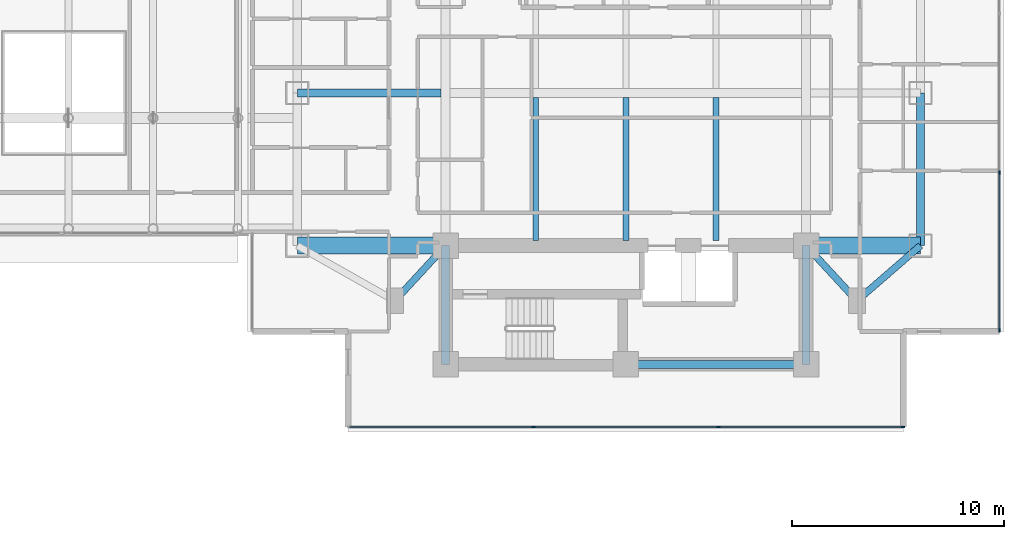
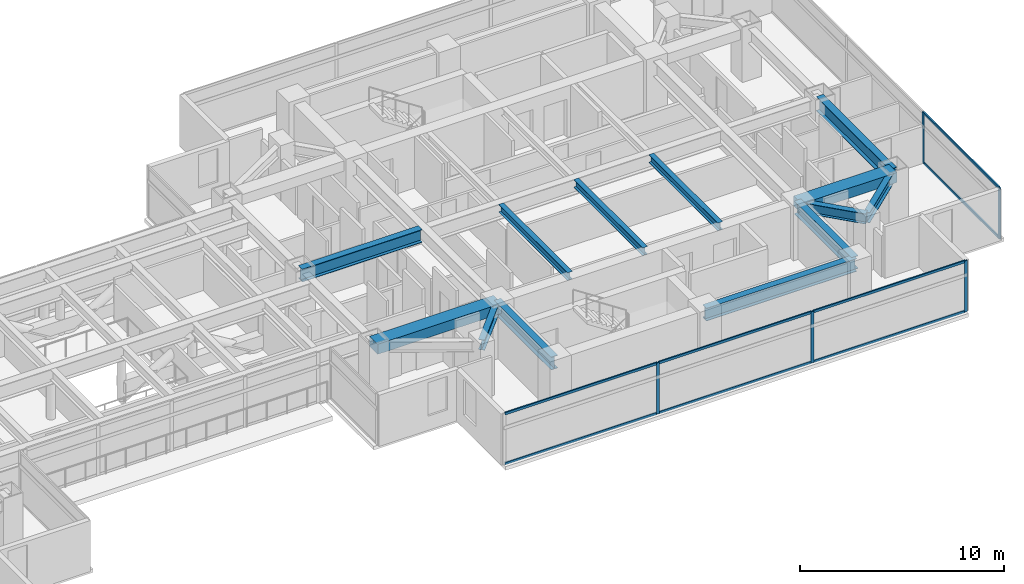
# One storey, part 9 of 27: 13 beams, 13 members, 2 elements without a shape of their own.
"""IFC4 building model written with IfcOpenShell, lengths in metres."""

from ifc_helpers import new_model, si_unit, direction, frame, origin, origin_2d, place, context, subcontext, project, spatial, rectangle, i_section, extrude, material, material_profile, profile_set, type_object, element, aggregate, save


model = new_model("IFC4")

# Units and contexts
model_context = context("Model", 3, precision=1e-05, world=origin(), true_north=direction((0.0, 1.0)))
body_context = subcontext(model_context, "Body", "Model", "MODEL_VIEW")
ifc_project = project(units=[si_unit("LENGTHUNIT", "METRE"), si_unit("AREAUNIT", "SQUARE_METRE"), si_unit("VOLUMEUNIT", "CUBIC_METRE"), si_unit("PLANEANGLEUNIT", "RADIAN"), si_unit("MASSUNIT", "GRAM", prefix="KILO")], contexts=[model_context])

# Site, building, storey
site_placement = place(None, origin())
site = spatial("IfcSite", under=ifc_project, at=site_placement, CompositionType="ELEMENT")
building_placement = place(site_placement, origin())
building = spatial("IfcBuilding", under=site, at=building_placement, Name="Mirazonda Arch Towers", CompositionType="ELEMENT")
storey_placement = place(building_placement, frame((0.0, 0.0, 95.0)))
storey = spatial("IfcBuildingStorey", under=building, at=storey_placement, Name="L26", CompositionType="ELEMENT", Elevation=95.0)

# Beams
ifc_material_1 = material(Name="Steel ASTM A992 Grade 50", Category="steel")
ifc_material_profile_1 = material_profile(ifc_material_1, i_section(OverallWidth=0.39990234375, OverallDepth=0.85595703125, WebThickness=0.018310546875, FlangeThickness=0.029296875, at=origin_2d()), Name="W33X201")
ifc_profile_set_1 = profile_set([ifc_material_profile_1], Name="Steel ASTM A992 Grade 50")
beam_type_1 = type_object("IfcBeamType", Name="BM-EXT-W33X201", PredefinedType="USERDEFINED", material=ifc_profile_set_1)
beam_1_placement = place(storey_placement, frame((90.39990234375, 20.800048828125, 2.652099609375), z_axis=(0.0, 1.0, 0.0), x_axis=(-1.0, 0.0, 0.0)))
element("IfcBeam", 1, at=beam_1_placement, inside=storey, type_object=beam_type_1, Name="L26 Floor Beam BM-T2-L26-NS-E-20", ObjectType="GIRDER", PredefinedType="USERDEFINED", context=body_context, shape_type="SweptSolid", body=[
    extrude(i_section(OverallWidth=0.39990234375, OverallDepth=0.85595703125, WebThickness=0.018310546875, FlangeThickness=0.029296875, at=origin_2d()), origin(), (0.0, 0.0, 1.0), 7.199951171875),
])
ifc_material_profile_2 = material_profile(ifc_material_1, i_section(OverallWidth=0.280029296875, OverallDepth=0.462890625, WebThickness=0.0107421875, FlangeThickness=0.017333984375, at=origin_2d()), Name="W18X76")
ifc_profile_set_2 = profile_set([ifc_material_profile_2], Name="Steel ASTM A992 Grade 50")
beam_type_2 = type_object("IfcBeamType", Name="BM-INT-W18X76", PredefinedType="JOIST", material=ifc_profile_set_2)
for number, where, z_axis, x_axis, name in (
    (2, (72.25, 21.0400390625, 2.848388671875), (0.0, 1.0, 0.0), (-1.0, 0.0, 0.0), "L26 Floor Beam BM-T2-L26-J-722-20"),
    (3, (76.5, 21.0400390625, 2.848388671875), (0.0, 1.0, 0.0), (-1.0, 0.0, 0.0), "L26 Floor Beam BM-T2-L26-J-765-20"),
    (4, (80.75, 21.0400390625, 2.848388671875), (0.0, 1.0, 0.0), (-1.0, 0.0, 0.0), "L26 Floor Beam BM-T2-L26-J-807-20"),
):
    element("IfcBeam", number, at=place(storey_placement, frame(where, z_axis=z_axis, x_axis=x_axis)), inside=storey, type_object=beam_type_2, Name=name, PredefinedType="JOIST", context=body_context, shape_type="SweptSolid", body=[
        extrude(i_section(OverallWidth=0.280029296875, OverallDepth=0.462890625, WebThickness=0.0107421875, FlangeThickness=0.017333984375, at=origin_2d()), origin(), (0.0, 0.0, 1.0), 6.7548828125),
    ])
ifc_material_profile_3 = material_profile(ifc_material_1, i_section(OverallWidth=0.324951171875, OverallDepth=0.615966796875, WebThickness=0.013916015625, FlangeThickness=0.021484375, at=origin_2d()), Name="W24X117")
ifc_profile_set_3 = profile_set([ifc_material_profile_3], Name="Steel ASTM A992 Grade 50")
beam_type_3 = type_object("IfcBeamType", Name="BM-INT-W24X117", PredefinedType="BEAM", material=ifc_profile_set_3)
for number, where, z_axis, x_axis, name in (
    (5, (65.60009765625, 18.199951171875, 2.77197265625), (0.678251444854, 0.734829897019, 0.0), (-0.734829897019, 0.678251444854, 0.0), "L26 Floor Beam BM-T2-L26-PL-SW1"),
    (6, (87.39990234375, 18.199951171875, 2.77197265625), (-0.678251444854, 0.734829897019, 0.0), (-0.734829897019, -0.678251444854, 0.0), "L26 Floor Beam BM-T2-L26-PL-SE1"),
):
    element("IfcBeam", number, at=place(storey_placement, frame(where, z_axis=z_axis, x_axis=x_axis)), inside=storey, type_object=beam_type_3, Name=name, PredefinedType="BEAM", context=body_context, shape_type="SweptSolid", body=[
        extrude(i_section(OverallWidth=0.324951171875, OverallDepth=0.615966796875, WebThickness=0.013916015625, FlangeThickness=0.021484375, at=origin_2d()), origin(), (0.0, 0.0, 1.0), 3.538330078125),
    ])
beam_2_placement = place(storey_placement, frame((87.39990234375, 18.199951171875, 2.77197265625), z_axis=(0.755676908098, 0.654944585876, 0.0), x_axis=(-0.654944585876, 0.755676908098, 0.0)))
element("IfcBeam", 7, at=beam_2_placement, inside=storey, type_object=beam_type_3, Name="L26 Floor Beam BM-T2-L26-PL-SE2", PredefinedType="BEAM", context=body_context, shape_type="SweptSolid", body=[
    extrude(i_section(OverallWidth=0.324951171875, OverallDepth=0.615966796875, WebThickness=0.013916015625, FlangeThickness=0.021484375, at=origin_2d()), origin(), (0.0, 0.0, 1.0), 3.969970703125),
])
ifc_material_profile_4 = material_profile(ifc_material_1, i_section(OverallWidth=0.381103515625, OverallDepth=0.77294921875, WebThickness=0.0166015625, FlangeThickness=0.027099609375, at=origin_2d()), Name="W30X173")
ifc_profile_set_4 = profile_set([ifc_material_profile_4], Name="Steel ASTM A992 Grade 50")
beam_type_4 = type_object("IfcBeamType", Name="BM-INT-W30X173", PredefinedType="USERDEFINED", material=ifc_profile_set_4)
beam_3_placement = place(storey_placement, frame((76.5, 15.199951171875, 2.693603515625), z_axis=(1.0, 0.0, 0.0), x_axis=(0.0, 1.0, 0.0)))
element("IfcBeam", 8, at=beam_3_placement, inside=storey, type_object=beam_type_4, Name="L26 Floor Beam BM-T2-L26-CS2", ObjectType="GIRDER", PredefinedType="USERDEFINED", context=body_context, shape_type="SweptSolid", body=[
    extrude(i_section(OverallWidth=0.381103515625, OverallDepth=0.77294921875, WebThickness=0.0166015625, FlangeThickness=0.027099609375, at=origin_2d()), origin(), (0.0, 0.0, 1.0), 8.5),
])
for number, where, z_axis, x_axis, name in (
    (9, (68.0, 15.199951171875, 2.693603515625), (0.0, 1.0, 0.0), (-1.0, 0.0, 0.0), "L26 Floor Beam BM-T2-L26-CSW"),
    (10, (85.0, 15.199951171875, 2.693603515625), (0.0, 1.0, 0.0), (-1.0, 0.0, 0.0), "L26 Floor Beam BM-T2-L26-CSE"),
):
    element("IfcBeam", number, at=place(storey_placement, frame(where, z_axis=z_axis, x_axis=x_axis)), inside=storey, type_object=beam_type_4, Name=name, ObjectType="GIRDER", PredefinedType="USERDEFINED", context=body_context, shape_type="SweptSolid", body=[
        extrude(i_section(OverallWidth=0.381103515625, OverallDepth=0.77294921875, WebThickness=0.0166015625, FlangeThickness=0.027099609375, at=origin_2d()), origin(), (0.0, 0.0, 1.0), 5.60009765625),
    ])
beam_4_placement = place(storey_placement, frame((61.0, 28.0, 2.693603515625), z_axis=(1.0, 0.0, 0.0), x_axis=(0.0, 1.0, 0.0)))
element("IfcBeam", 11, at=beam_4_placement, inside=storey, type_object=beam_type_4, Name="L26 Floor Beam BM-T2-L26-GW2", ObjectType="GIRDER", PredefinedType="USERDEFINED", context=body_context, shape_type="SweptSolid", body=[
    extrude(i_section(OverallWidth=0.381103515625, OverallDepth=0.77294921875, WebThickness=0.0166015625, FlangeThickness=0.027099609375, at=origin_2d()), origin(), (0.0, 0.0, 1.0), 6.791015625),
])
ifc_material_2 = material(Name="Concrete C60/75", Category="concrete")
ifc_material_profile_5 = material_profile(ifc_material_2, rectangle(XDim=0.800048828125, YDim=0.60009765625, at=origin_2d()), Name="RCCB800x600")
ifc_profile_set_5 = profile_set([ifc_material_profile_5], Name="Concrete C60/75")
beam_type_5 = type_object("IfcBeamType", Name="CB-INT-RCCB800x600", PredefinedType="SPANDREL", material=ifc_profile_set_5)
beam_5_placement = place(storey_placement, frame((61.0, 20.800048828125, 2.780029296875), z_axis=(1.0, 0.0, 0.0), x_axis=(0.0, 1.0, 0.0)))
element("IfcBeam", 12, at=beam_5_placement, inside=storey, type_object=beam_type_5, Name="L26 Floor Beam CBC-T2-L26-SW", PredefinedType="SPANDREL", context=body_context, shape_type="SweptSolid", body=[
    extrude(rectangle(XDim=0.800048828125, YDim=0.60009765625, at=origin_2d()), origin(), (0.0, 0.0, 1.0), 7.0),
])
beam_6_placement = place(storey_placement, frame((85.0, 20.800048828125, 2.780029296875), z_axis=(1.0, 0.0, 0.0), x_axis=(0.0, 1.0, 0.0)))
element("IfcBeam", 13, at=beam_6_placement, inside=storey, type_object=beam_type_5, Name="L26 Floor Beam CBC-T2-L26-SE", PredefinedType="SPANDREL", context=body_context, shape_type="SweptSolid", body=[
    extrude(rectangle(XDim=0.800048828125, YDim=0.60009765625, at=origin_2d()), origin(), (0.0, 0.0, 1.0), 5.39990234375),
])

# Curtain wall, members
ifc_material_3 = material(Name="Anodised Aluminium and Low-E Glass", Category="aluminium")
curtain_wall_type = type_object("IfcCurtainWallType", Name="CW-HTL-UNIT", PredefinedType="NOTDEFINED", material=ifc_material_3)
curtain_wall_1_placement = place(storey_placement, origin())
curtain_wall_1 = element("IfcCurtainWall", 14, at=curtain_wall_1_placement, inside=storey, type_object=curtain_wall_type, Name="L26 T2 S Facade CW-L26-T2-S", PredefinedType="NOTDEFINED")
ifc_material_4 = material(Name="Anodised Aluminium Alloy", Category="aluminium")
ifc_material_profile_6 = material_profile(ifc_material_4, rectangle(XDim=0.074951171875, YDim=0.1650390625, at=origin_2d()), Name="ALU-MULL-75x165")
ifc_profile_set_6 = profile_set([ifc_material_profile_6], Name="Anodised Aluminium Alloy")
member_type_1 = type_object("IfcMemberType", Name="MULL-CW-HTL-UNIT", PredefinedType="MULLION", material=ifc_profile_set_6)
member_1_placement = place(storey_placement, frame((89.564697265625, 12.23583984375, 0.0), z_axis=(0.0, 0.0, 1.0), x_axis=(0.0, -1.0, 0.0)))
member_1 = element("IfcMember", 15, at=member_1_placement, type_object=member_type_1, Name="CW-112 mullion 1", PredefinedType="MULLION", context=body_context, shape_type="SweptSolid", body=[
    extrude(rectangle(XDim=0.074951171875, YDim=0.1650390625, at=origin_2d()), origin(), (0.0, 0.0, 1.0), 3.06005859375),
])
member_2_placement = place(storey_placement, frame((80.867431640625, 12.23583984375, 0.0), z_axis=(0.0, 0.0, 1.0), x_axis=(0.0, -1.0, 0.0)))
member_2 = element("IfcMember", 16, at=member_2_placement, type_object=member_type_1, Name="CW-112 mullion 2", PredefinedType="MULLION", context=body_context, shape_type="SweptSolid", body=[
    extrude(rectangle(XDim=0.074951171875, YDim=0.1650390625, at=origin_2d()), origin(), (0.0, 0.0, 1.0), 3.06005859375),
])
member_3_placement = place(storey_placement, frame((72.132568359375, 12.23583984375, 0.0), z_axis=(0.0, 0.0, 1.0), x_axis=(0.0, -1.0, 0.0)))
member_3 = element("IfcMember", 17, at=member_3_placement, type_object=member_type_1, Name="CW-112 mullion 3", PredefinedType="MULLION", context=body_context, shape_type="SweptSolid", body=[
    extrude(rectangle(XDim=0.074951171875, YDim=0.1650390625, at=origin_2d()), origin(), (0.0, 0.0, 1.0), 3.06005859375),
])

curtain_wall_2_placement = place(storey_placement, origin())
curtain_wall_2 = element("IfcCurtainWall", 18, at=curtain_wall_2_placement, inside=storey, type_object=curtain_wall_type, Name="L26 T2 E Facade CW-L26-T2-E", PredefinedType="NOTDEFINED")
member_4_placement = place(storey_placement, frame((94.118408203125, 16.789794921875, 0.0), z_axis=(0.0, 0.0, 1.0), x_axis=(-1.0, 0.0, 0.0)))
member_4 = element("IfcMember", 19, at=member_4_placement, type_object=member_type_1, Name="CW-112 mullion 1", PredefinedType="MULLION", context=body_context, shape_type="SweptSolid", body=[
    extrude(rectangle(XDim=0.074951171875, YDim=0.1650390625, at=origin_2d()), origin(), (0.0, 0.0, 1.0), 3.06005859375),
])
member_5_placement = place(storey_placement, frame((94.118408203125, 24.250732421875, 0.0), z_axis=(0.0, 0.0, 1.0), x_axis=(-1.0, 0.0, 0.0)))
member_5 = element("IfcMember", 20, at=member_5_placement, type_object=member_type_1, Name="CW-112 mullion 2", PredefinedType="MULLION", context=body_context, shape_type="SweptSolid", body=[
    extrude(rectangle(XDim=0.074951171875, YDim=0.1650390625, at=origin_2d()), origin(), (0.0, 0.0, 1.0), 3.06005859375),
])

# Member
ifc_material_profile_7 = material_profile(ifc_material_4, rectangle(XDim=0.074951171875, YDim=0.14501953125, at=origin_2d()), Name="ALU-TRAN-75x145")
ifc_profile_set_7 = profile_set([ifc_material_profile_7], Name="Anodised Aluminium Alloy")
member_type_2 = type_object("IfcMemberType", Name="TRAN-CW-HTL-UNIT", PredefinedType="USERDEFINED", material=ifc_profile_set_7)
member_6_placement = place(storey_placement, frame((89.527099609375, 12.23583984375, 0.03759765625), z_axis=(-1.0, 0.0, 0.0), x_axis=(0.0, -1.0, 0.0)))
member_6 = element("IfcMember", 21, at=member_6_placement, type_object=member_type_2, Name="CW-112 transom 1.1", ObjectType="TRANSOM", PredefinedType="USERDEFINED", context=body_context, shape_type="SweptSolid", body=[
    extrude(rectangle(XDim=0.074951171875, YDim=0.14501953125, at=origin_2d()), origin(), (0.0, 0.0, 1.0), 8.622314453125),
])

member_7_placement = place(storey_placement, frame((89.527099609375, 12.23583984375, 3.0224609375), z_axis=(-1.0, 0.0, 0.0), x_axis=(0.0, -1.0, 0.0)))
member_7 = element("IfcMember", 22, at=member_7_placement, type_object=member_type_2, Name="CW-112 transom 1.2", ObjectType="TRANSOM", PredefinedType="USERDEFINED", context=body_context, shape_type="SweptSolid", body=[
    extrude(rectangle(XDim=0.074951171875, YDim=0.14501953125, at=origin_2d()), origin(), (0.0, 0.0, 1.0), 8.622314453125),
])

member_8_placement = place(storey_placement, frame((80.829833984375, 12.23583984375, 0.03759765625), z_axis=(-1.0, 0.0, 0.0), x_axis=(0.0, -1.0, 0.0)))
member_8 = element("IfcMember", 23, at=member_8_placement, type_object=member_type_2, Name="CW-112 transom 2.1", ObjectType="TRANSOM", PredefinedType="USERDEFINED", context=body_context, shape_type="SweptSolid", body=[
    extrude(rectangle(XDim=0.074951171875, YDim=0.14501953125, at=origin_2d()), origin(), (0.0, 0.0, 1.0), 8.65966796875),
])

member_9_placement = place(storey_placement, frame((80.829833984375, 12.23583984375, 3.0224609375), z_axis=(-1.0, 0.0, 0.0), x_axis=(0.0, -1.0, 0.0)))
member_9 = element("IfcMember", 24, at=member_9_placement, type_object=member_type_2, Name="CW-112 transom 2.2", ObjectType="TRANSOM", PredefinedType="USERDEFINED", context=body_context, shape_type="SweptSolid", body=[
    extrude(rectangle(XDim=0.074951171875, YDim=0.14501953125, at=origin_2d()), origin(), (0.0, 0.0, 1.0), 8.65966796875),
])

member_10_placement = place(storey_placement, frame((72.09521484375, 12.23583984375, 0.03759765625), z_axis=(-1.0, 0.0, 0.0), x_axis=(0.0, -1.0, 0.0)))
member_10 = element("IfcMember", 25, at=member_10_placement, type_object=member_type_2, Name="CW-112 transom 3.1", ObjectType="TRANSOM", PredefinedType="USERDEFINED", context=body_context, shape_type="SweptSolid", body=[
    extrude(rectangle(XDim=0.074951171875, YDim=0.14501953125, at=origin_2d()), origin(), (0.0, 0.0, 1.0), 8.622314453125),
])

member_11_placement = place(storey_placement, frame((72.09521484375, 12.23583984375, 3.0224609375), z_axis=(-1.0, 0.0, 0.0), x_axis=(0.0, -1.0, 0.0)))
member_11 = element("IfcMember", 26, at=member_11_placement, type_object=member_type_2, Name="CW-112 transom 3.2", ObjectType="TRANSOM", PredefinedType="USERDEFINED", context=body_context, shape_type="SweptSolid", body=[
    extrude(rectangle(XDim=0.074951171875, YDim=0.14501953125, at=origin_2d()), origin(), (0.0, 0.0, 1.0), 8.622314453125),
])

aggregate(curtain_wall_1, [member_1, member_2, member_3, member_6, member_7, member_8, member_9, member_10, member_11])

member_12_placement = place(storey_placement, frame((94.118408203125, 16.8271484375, 0.03759765625), z_axis=(0.0, 1.0, 0.0), x_axis=(-1.0, 0.0, 0.0)))
member_12 = element("IfcMember", 27, at=member_12_placement, type_object=member_type_2, Name="CW-112 transom 1.1", ObjectType="TRANSOM", PredefinedType="USERDEFINED", context=body_context, shape_type="SweptSolid", body=[
    extrude(rectangle(XDim=0.074951171875, YDim=0.14501953125, at=origin_2d()), origin(), (0.0, 0.0, 1.0), 7.385986328125),
])

member_13_placement = place(storey_placement, frame((94.118408203125, 16.8271484375, 3.0224609375), z_axis=(0.0, 1.0, 0.0), x_axis=(-1.0, 0.0, 0.0)))
member_13 = element("IfcMember", 28, at=member_13_placement, type_object=member_type_2, Name="CW-112 transom 1.2", ObjectType="TRANSOM", PredefinedType="USERDEFINED", context=body_context, shape_type="SweptSolid", body=[
    extrude(rectangle(XDim=0.074951171875, YDim=0.14501953125, at=origin_2d()), origin(), (0.0, 0.0, 1.0), 7.385986328125),
])

aggregate(curtain_wall_2, [member_4, member_5, member_12, member_13])

save(model, "model.ifc")
